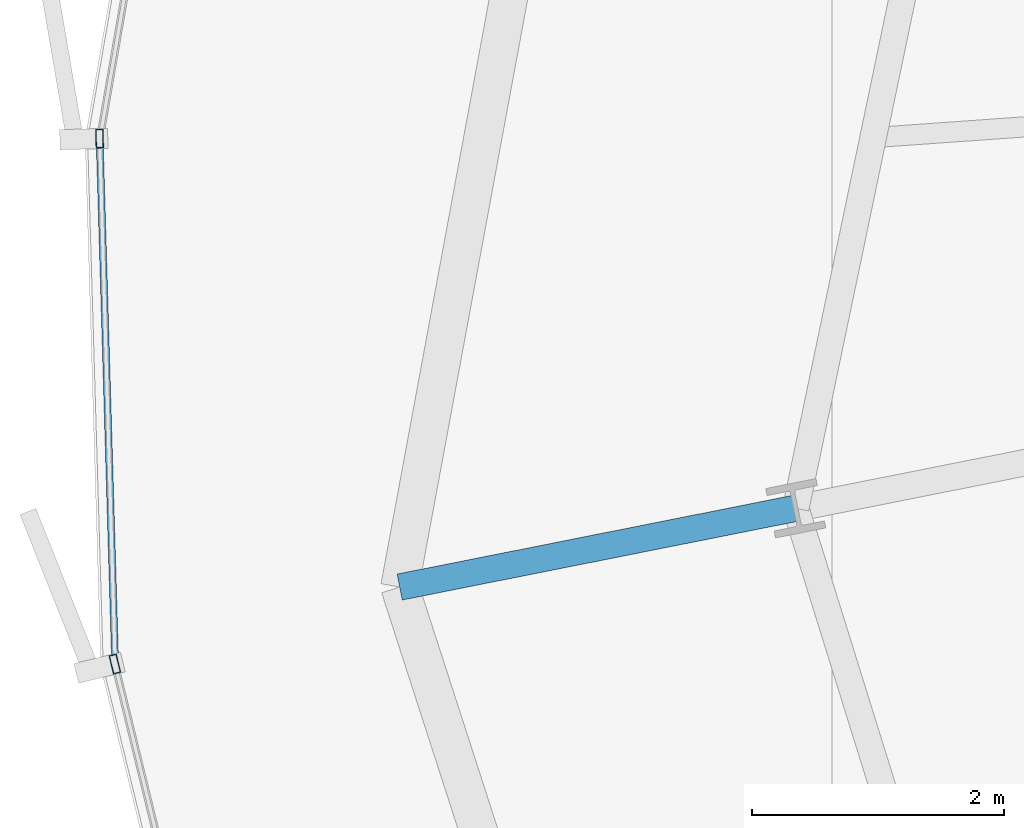
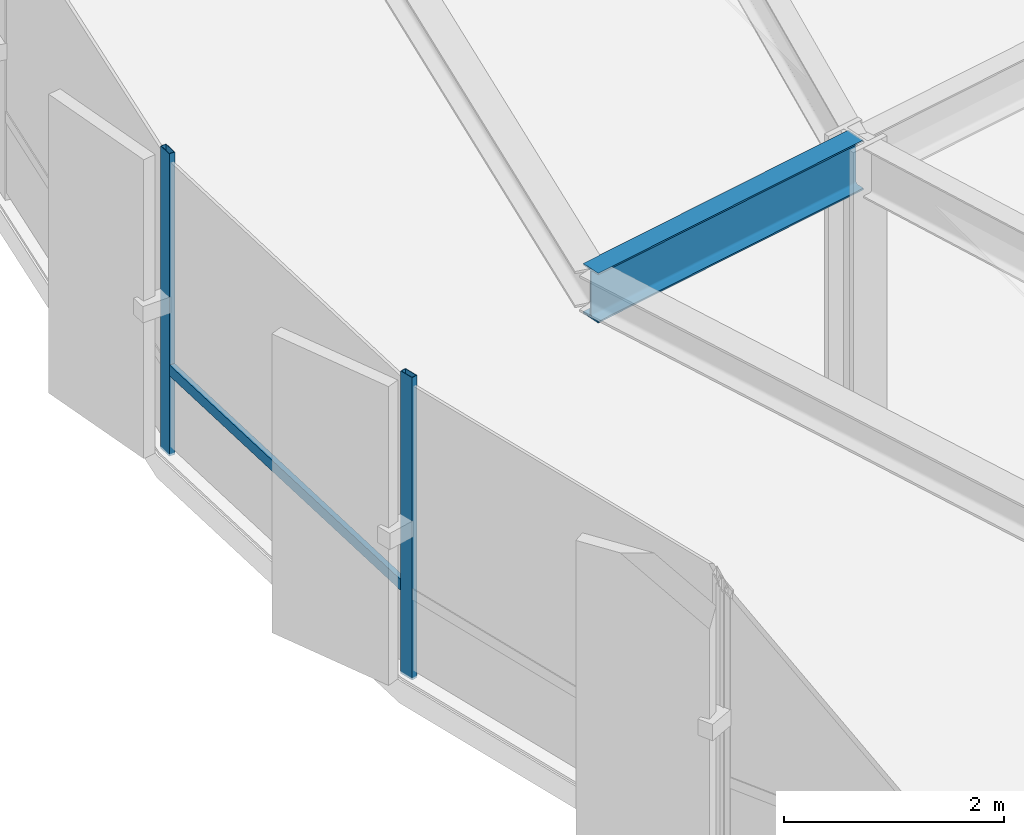
# One storey, part 8 of 33: 3 members, 1 beam, 1 element without a shape of its own.
"""IFC4 building model written with IfcOpenShell, lengths in metres."""

from ifc_helpers import new_model, si_unit, direction, frame, origin, origin_2d, place, context, subcontext, project, spatial, hollow_rectangle, i_section, extrude, source, transform, mapped, material, layer, layer_set, material_profile, profile_set, type_object, element, aggregate, save


model = new_model("IFC4")

# Units and contexts
model_context = context("Model", 3, precision=1e-05, world=origin(), true_north=direction((0.0, 1.0)))
body_context = subcontext(model_context, "Body", "Model", "MODEL_VIEW")
ifc_project = project(units=[si_unit("LENGTHUNIT", "METRE"), si_unit("AREAUNIT", "SQUARE_METRE"), si_unit("VOLUMEUNIT", "CUBIC_METRE"), si_unit("PLANEANGLEUNIT", "RADIAN"), si_unit("MASSUNIT", "GRAM", prefix="KILO"), si_unit("THERMODYNAMICTEMPERATUREUNIT", "KELVIN")], contexts=[model_context])

# Site, building, storey
site_placement = place(None, origin())
site = spatial("IfcSite", under=ifc_project, at=site_placement, CompositionType="ELEMENT")
building_placement = place(site_placement, origin())
building = spatial("IfcBuilding", under=site, at=building_placement, Name="Kethvar Cultural Tower", CompositionType="ELEMENT")
storey_placement = place(building_placement, frame((0.0, 0.0, 114.39990234375)))
storey = spatial("IfcBuildingStorey", under=building, at=storey_placement, Name="L28", CompositionType="ELEMENT", Elevation=114.39990234375)

# Beam
ifc_material_1 = material(Name="Steel S355J2", Category="steel")
ifc_material_profile_1 = material_profile(ifc_material_1, i_section(OverallWidth=0.2099609375, OverallDepth=0.550048828125, WebThickness=0.010986328125, FlangeThickness=0.01708984375, FilletRadius=0.02392578125, at=origin_2d()), Name="Steel S355J2 — IPE550")
ifc_profile_set_1 = profile_set([ifc_material_profile_1], Name="Steel S355J2 — IPE550")
beam_type = type_object("IfcBeamType", Name="BM-IPE550", PredefinedType="BEAM", material=ifc_profile_set_1)
shared_shape_1 = source(origin(), body_context, "Body", "SweptSolid", [
    extrude(i_section(OverallWidth=0.2099609375, OverallDepth=0.550048828125, WebThickness=0.010986328125, FlangeThickness=0.01708984375, FilletRadius=0.02392578125, at=origin_2d()), origin(), (0.0, 0.0, 1.0), 3.199951171875),
])
beam_placement = place(storey_placement, frame((24.185302734375, 23.3017578125, 3.072998046875), z_axis=(-0.980785550224, -0.195088965533, 0.0), x_axis=(0.195088965533, -0.980785550224, 0.0)))
element("IfcBeam", 1, at=beam_placement, inside=storey, type_object=beam_type, Name="L28 Perimeter Cantilever Beam RC-09", PredefinedType="BEAM", context=body_context, shape_type="MappedRepresentation", body=[
    mapped(shared_shape_1, transform((0.0, 0.0, 0.0), scale=1.0)),
])

# Curtain wall, members
ifc_material_2 = material(Name="Aluminium 6063-T6", Category="aluminium")
ifc_layer = layer(ifc_material_2, 0.179931640625, Name="Aluminium 6063-T6", Category="aluminium")
ifc_layer_set = layer_set([ifc_layer], Name="Aluminium 6063-T6 (180 mm)")
curtain_wall_type = type_object("IfcCurtainWallType", Name="CW-SYS-03-Z2", PredefinedType="NOTDEFINED", material=ifc_layer_set)
curtain_wall_placement = place(storey_placement, origin())
curtain_wall = element("IfcCurtainWall", 2, at=curtain_wall_placement, inside=storey, type_object=curtain_wall_type, Name="L28 Curtain Wall Run 03", PredefinedType="NOTDEFINED")
ifc_material_profile_2 = material_profile(ifc_material_2, hollow_rectangle(XDim=0.06005859375, YDim=0.14990234375, WallThickness=0.0048828125, at=origin_2d()), Name="Aluminium 6063-T6 — RHS150x60x5")
ifc_profile_set_2 = profile_set([ifc_material_profile_2], Name="Aluminium 6063-T6 — RHS150x60x5")
member_type_1 = type_object("IfcMemberType", Name="CW-SYS-03-Z2-MUL", PredefinedType="MULLION", material=ifc_profile_set_2)
shared_shape_2 = source(origin(), body_context, "Body", "SweptSolid", [
    extrude(hollow_rectangle(XDim=0.06005859375, YDim=0.14990234375, WallThickness=0.0048828125, at=origin_2d()), origin(), (0.0, 0.0, 1.0), 3.35009765625),
])
member_1_placement = place(storey_placement, frame((18.668701171875, 26.23095703125, 0.0), z_axis=(0.0, 0.0, 1.0), x_axis=(0.999560377741, 0.02964879847, 0.0)))
member_1 = element("IfcMember", 3, at=member_1_placement, type_object=member_type_1, Name="CW-L28-R03 Mullion 5", PredefinedType="MULLION", context=body_context, shape_type="MappedRepresentation", body=[
    mapped(shared_shape_2, transform((0.0, 0.0, 0.0), scale=1.0)),
])
member_2_placement = place(storey_placement, frame((18.789794921875, 22.0673828125, 0.0), z_axis=(0.0, 0.0, 1.0), x_axis=(0.971516041684, 0.236973797604, 0.0)))
member_2 = element("IfcMember", 4, at=member_2_placement, type_object=member_type_1, Name="CW-L28-R03 Mullion 6", PredefinedType="MULLION", context=body_context, shape_type="MappedRepresentation", body=[
    mapped(shared_shape_2, transform((0.0, 0.0, 0.0), scale=1.0)),
])
ifc_material_profile_3 = material_profile(ifc_material_2, hollow_rectangle(XDim=0.054931640625, YDim=0.1201171875, WallThickness=0.00390625, at=origin_2d()), Name="Aluminium 6063-T6 — RHS120x55x4")
ifc_profile_set_3 = profile_set([ifc_material_profile_3], Name="Aluminium 6063-T6 — RHS120x55x4")
member_type_2 = type_object("IfcMemberType", Name="CW-SYS-03-Z2-TRN", PredefinedType="USERDEFINED", material=ifc_profile_set_3)
shared_shape_3 = source(origin(), body_context, "Body", "SweptSolid", [
    extrude(hollow_rectangle(XDim=0.054931640625, YDim=0.1201171875, WallThickness=0.00390625, at=origin_2d()), origin(), (0.0, 0.0, 1.0), 4.1025390625),
])
member_3_placement = place(storey_placement, frame((18.670166015625, 26.187744140625, 0.9501953125), z_axis=(0.029635129486, -0.999560783094, 0.0), x_axis=(0.999560783094, 0.029635129486, 0.0)))
member_3 = element("IfcMember", 5, at=member_3_placement, type_object=member_type_2, Name="CW-L28-R03 Transom 5", ObjectType="TRANSOM", PredefinedType="USERDEFINED", context=body_context, shape_type="MappedRepresentation", body=[
    mapped(shared_shape_3, transform((0.0, 0.0, 0.0), scale=1.0)),
])
aggregate(curtain_wall, [member_1, member_2, member_3])

save(model, "model.ifc")
